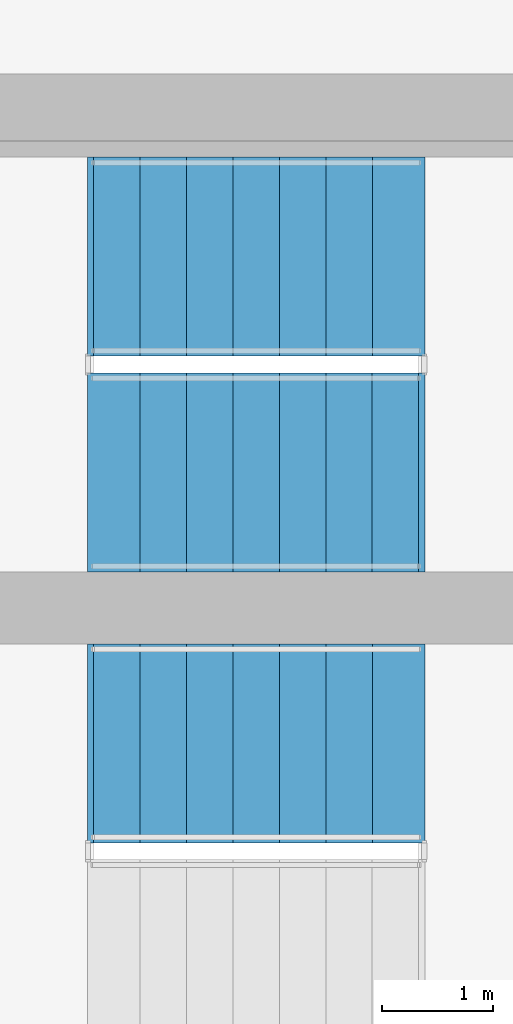
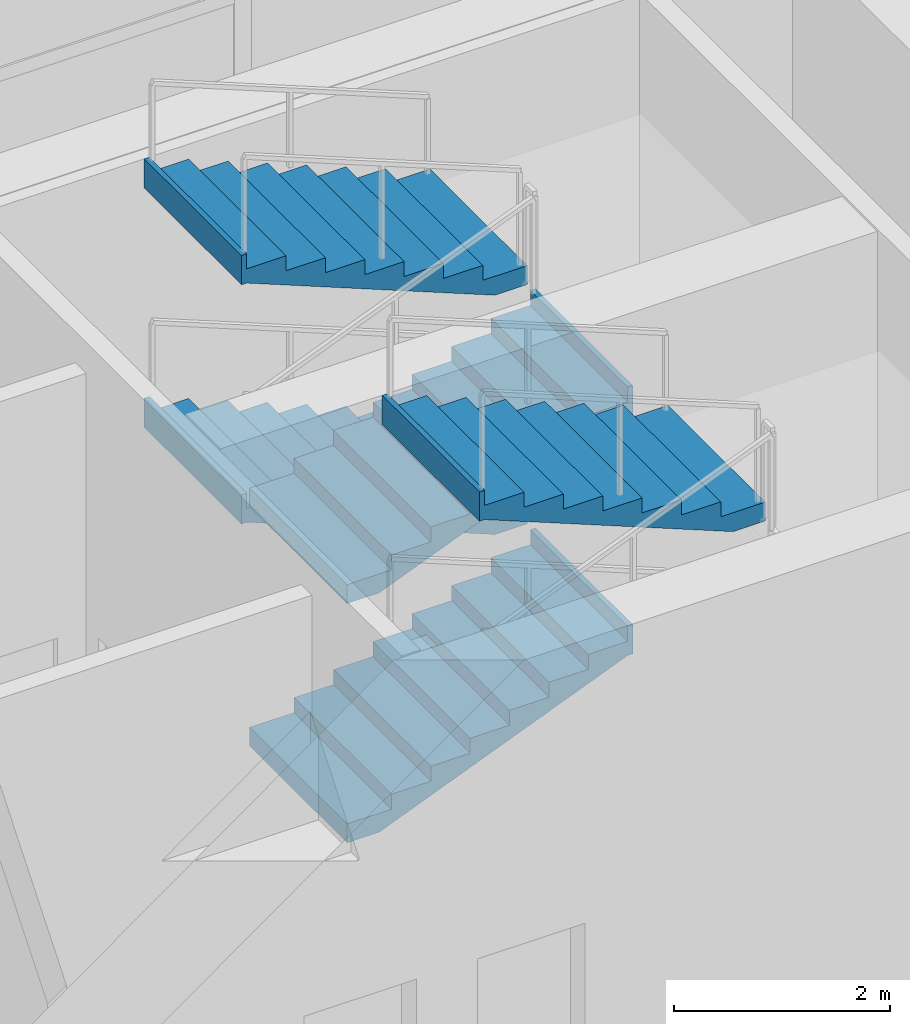
# One storey, part 13 of 17: 5 stair flights, 2 elements without a shape of their own.
"""IFC4 building model written with IfcOpenShell, lengths in metres."""

from ifc_helpers import new_model, si_unit, direction, frame, origin, place, context, subcontext, project, spatial, polyline, outline, extrude, material, type_object, element, aggregate, save


model = new_model("IFC4")

# Units and contexts
model_context = context("Model", 3, precision=1e-05, world=origin(), true_north=direction((0.0, 1.0)))
body_context = subcontext(model_context, "Body", "Model", "MODEL_VIEW")
ifc_project = project(units=[si_unit("LENGTHUNIT", "METRE"), si_unit("AREAUNIT", "SQUARE_METRE"), si_unit("VOLUMEUNIT", "CUBIC_METRE"), si_unit("PLANEANGLEUNIT", "RADIAN"), si_unit("MASSUNIT", "GRAM", prefix="KILO")], contexts=[model_context])

# Site, building, storey
site_placement = place(None, origin())
site = spatial("IfcSite", under=ifc_project, at=site_placement, CompositionType="ELEMENT")
building_placement = place(site_placement, origin())
building = spatial("IfcBuilding", under=site, at=building_placement, Name="Caeloran Harvest Quay", CompositionType="ELEMENT")
storey_placement = place(building_placement, frame((0.0, 0.0, 5.39990234375)))
storey = spatial("IfcBuildingStorey", under=building, at=storey_placement, Name="L02", CompositionType="ELEMENT", Elevation=5.39990234375)

# Stair, stair flights
ifc_material = material(Name="Concrete C50/60", Category="concrete")
stair_type = type_object("IfcStairType", Name="STAIR-STC-180", PredefinedType="HALF_TURN_STAIR", material=ifc_material)
stair_1_placement = place(storey_placement, origin())
stair_1 = element("IfcStair", 1, at=stair_1_placement, inside=storey, type_object=stair_type, Name="L02 Core Pressurized Exit Stair ST-C1", PredefinedType="HALF_TURN_STAIR")
stair_flight_type = type_object("IfcStairFlightType", Name="FLIGHT-STC-180", PredefinedType="STRAIGHT", material=ifc_material)
stair_flight_1_placement = place(storey_placement, frame((15.89990234375, 37.39990234375, 0.0), z_axis=(0.0, 0.0, 1.0), x_axis=(1.0, 0.0, 0.0)))
stair_flight_1 = element("IfcStairFlight", 2, at=stair_flight_1_placement, type_object=stair_flight_type, Name="ST-C1 flight 1", NumberOfRisers=8, NumberOfTreads=7, PredefinedType="STRAIGHT", RiserHeight=0.16875, TreadLength=0.42, context=body_context, shape_type="SweptSolid", body=[
    extrude(outline(polyline([(-0.054931640625, -0.044921875), (-0.054931640625, -0.03173828125), (-0.054931640625, -0.018310546875), (-0.054931640625, -0.0048828125), (-0.054931640625, 0.008544921875), (-0.054931640625, 0.021728515625), (-0.054931640625, 0.03515625), (-0.054931640625, 0.048583984375), (-0.054931640625, 0.061767578125), (-0.054931640625, 0.0751953125), (-0.054931640625, 0.088623046875), (-0.054931640625, 0.10205078125), (-0.054931640625, 0.115234375), (-0.054931640625, 0.128662109375), (-0.054931640625, 0.14208984375), (-0.054931640625, 0.1552734375), (-0.054931640625, 0.168701171875), (0.419921875, 0.168701171875), (0.419921875, 0.33740234375), (0.840087890625, 0.33740234375), (0.840087890625, 0.50634765625), (1.260009765625, 0.50634765625), (1.260009765625, 0.675048828125), (1.679931640625, 0.675048828125), (1.679931640625, 0.84375), (2.10009765625, 0.84375), (2.10009765625, 1.012451171875), (2.52001953125, 1.012451171875), (2.52001953125, 1.18115234375), (2.93994140625, 1.18115234375), (2.93994140625, 1.35009765625), (2.9951171875, 1.35009765625), (2.9951171875, 1.329345703125), (2.9951171875, 1.30859375), (2.9951171875, 1.2880859375), (2.9951171875, 1.267333984375), (2.9951171875, 1.246826171875), (2.9951171875, 1.22607421875), (2.9951171875, 1.20556640625), (2.9951171875, 1.184814453125), (2.9951171875, 1.164306640625), (2.9951171875, 1.1435546875), (2.9951171875, 1.122802734375), (2.9951171875, 1.102294921875), (2.9951171875, 1.08154296875), (2.9951171875, 1.06103515625), (2.9951171875, 1.040283203125), (2.9951171875, 1.019775390625), (2.93994140625, 1.019775390625), (0.2900390625, -0.044921875), (-0.054931640625, -0.044921875)])), frame((0.0, 0.89990234375, 0.0), z_axis=(0.0, -1.0, 0.0), x_axis=(1.0, 0.0, 0.0)), (0.0, 0.0, 1.0), 1.800048828125),
])
stair_flight_2_placement = place(storey_placement, frame((18.840087890625, 39.35009765625, 1.35009765625), z_axis=(0.0, 0.0, 1.0), x_axis=(-1.0, 0.0, 0.0)))
stair_flight_2 = element("IfcStairFlight", 3, at=stair_flight_2_placement, type_object=stair_flight_type, Name="ST-C1 flight 2", NumberOfRisers=8, NumberOfTreads=7, PredefinedType="STRAIGHT", RiserHeight=0.16875, TreadLength=0.42, context=body_context, shape_type="SweptSolid", body=[
    extrude(outline(polyline([(-0.054931640625, -0.044921875), (-0.054931640625, -0.03173828125), (-0.054931640625, -0.018310546875), (-0.054931640625, -0.0048828125), (-0.054931640625, 0.008544921875), (-0.054931640625, 0.021728515625), (-0.054931640625, 0.03515625), (-0.054931640625, 0.048583984375), (-0.054931640625, 0.061767578125), (-0.054931640625, 0.0751953125), (-0.054931640625, 0.088623046875), (-0.054931640625, 0.10205078125), (-0.054931640625, 0.115234375), (-0.054931640625, 0.128662109375), (-0.054931640625, 0.14208984375), (-0.054931640625, 0.1552734375), (-0.054931640625, 0.168701171875), (0.419921875, 0.168701171875), (0.419921875, 0.33740234375), (0.840087890625, 0.33740234375), (0.840087890625, 0.50634765625), (1.260009765625, 0.50634765625), (1.260009765625, 0.675048828125), (1.679931640625, 0.675048828125), (1.679931640625, 0.84375), (2.10009765625, 0.84375), (2.10009765625, 1.012451171875), (2.52001953125, 1.012451171875), (2.52001953125, 1.18115234375), (2.93994140625, 1.18115234375), (2.93994140625, 1.35009765625), (2.9951171875, 1.35009765625), (2.9951171875, 1.329345703125), (2.9951171875, 1.30859375), (2.9951171875, 1.2880859375), (2.9951171875, 1.267333984375), (2.9951171875, 1.246826171875), (2.9951171875, 1.22607421875), (2.9951171875, 1.20556640625), (2.9951171875, 1.184814453125), (2.9951171875, 1.164306640625), (2.9951171875, 1.1435546875), (2.9951171875, 1.122802734375), (2.9951171875, 1.102294921875), (2.9951171875, 1.08154296875), (2.9951171875, 1.06103515625), (2.9951171875, 1.040283203125), (2.9951171875, 1.019775390625), (2.93994140625, 1.019775390625), (0.2900390625, -0.044921875), (-0.054931640625, -0.044921875)])), frame((0.0, 0.89990234375, 0.0), z_axis=(0.0, -1.0, 0.0), x_axis=(1.0, 0.0, 0.0)), (0.0, 0.0, 1.0), 1.800048828125),
])
stair_flight_3_placement = place(storey_placement, frame((15.89990234375, 37.39990234375, 2.7001953125), z_axis=(0.0, 0.0, 1.0), x_axis=(1.0, 0.0, 0.0)))
stair_flight_3 = element("IfcStairFlight", 4, at=stair_flight_3_placement, type_object=stair_flight_type, Name="ST-C1 flight 3", NumberOfRisers=8, NumberOfTreads=7, PredefinedType="STRAIGHT", RiserHeight=0.16875, TreadLength=0.42, context=body_context, shape_type="SweptSolid", body=[
    extrude(outline(polyline([(-0.054931640625, -0.044921875), (-0.054931640625, -0.03173828125), (-0.054931640625, -0.018310546875), (-0.054931640625, -0.0048828125), (-0.054931640625, 0.008544921875), (-0.054931640625, 0.021728515625), (-0.054931640625, 0.03515625), (-0.054931640625, 0.048583984375), (-0.054931640625, 0.061767578125), (-0.054931640625, 0.0751953125), (-0.054931640625, 0.088623046875), (-0.054931640625, 0.10205078125), (-0.054931640625, 0.115234375), (-0.054931640625, 0.128662109375), (-0.054931640625, 0.14208984375), (-0.054931640625, 0.1552734375), (-0.054931640625, 0.168701171875), (0.419921875, 0.168701171875), (0.419921875, 0.33740234375), (0.840087890625, 0.33740234375), (0.840087890625, 0.50634765625), (1.260009765625, 0.50634765625), (1.260009765625, 0.675048828125), (1.679931640625, 0.675048828125), (1.679931640625, 0.84375), (2.10009765625, 0.84375), (2.10009765625, 1.012451171875), (2.52001953125, 1.012451171875), (2.52001953125, 1.18115234375), (2.93994140625, 1.18115234375), (2.93994140625, 1.35009765625), (2.9951171875, 1.35009765625), (2.9951171875, 1.329345703125), (2.9951171875, 1.30859375), (2.9951171875, 1.2880859375), (2.9951171875, 1.267333984375), (2.9951171875, 1.246826171875), (2.9951171875, 1.22607421875), (2.9951171875, 1.20556640625), (2.9951171875, 1.184814453125), (2.9951171875, 1.164306640625), (2.9951171875, 1.1435546875), (2.9951171875, 1.122802734375), (2.9951171875, 1.102294921875), (2.9951171875, 1.08154296875), (2.9951171875, 1.06103515625), (2.9951171875, 1.040283203125), (2.9951171875, 1.019775390625), (2.93994140625, 1.019775390625), (0.2900390625, -0.044921875), (-0.054931640625, -0.044921875)])), frame((0.0, 0.89990234375, 0.0), z_axis=(0.0, -1.0, 0.0), x_axis=(1.0, 0.0, 0.0)), (0.0, 0.0, 1.0), 1.800048828125),
])
stair_flight_4_placement = place(storey_placement, frame((18.840087890625, 39.35009765625, 4.050048828125), z_axis=(0.0, 0.0, 1.0), x_axis=(-1.0, 0.0, 0.0)))
stair_flight_4 = element("IfcStairFlight", 5, at=stair_flight_4_placement, type_object=stair_flight_type, Name="ST-C1 flight 4", NumberOfRisers=8, NumberOfTreads=7, PredefinedType="STRAIGHT", RiserHeight=0.16875, TreadLength=0.42, context=body_context, shape_type="SweptSolid", body=[
    extrude(outline(polyline([(-0.054931640625, -0.044921875), (-0.054931640625, -0.03173828125), (-0.054931640625, -0.018310546875), (-0.054931640625, -0.0048828125), (-0.054931640625, 0.008544921875), (-0.054931640625, 0.021728515625), (-0.054931640625, 0.03515625), (-0.054931640625, 0.048583984375), (-0.054931640625, 0.061767578125), (-0.054931640625, 0.0751953125), (-0.054931640625, 0.088623046875), (-0.054931640625, 0.10205078125), (-0.054931640625, 0.115234375), (-0.054931640625, 0.128662109375), (-0.054931640625, 0.14208984375), (-0.054931640625, 0.1552734375), (-0.054931640625, 0.168701171875), (0.419921875, 0.168701171875), (0.419921875, 0.33740234375), (0.840087890625, 0.33740234375), (0.840087890625, 0.50634765625), (1.260009765625, 0.50634765625), (1.260009765625, 0.675048828125), (1.679931640625, 0.675048828125), (1.679931640625, 0.84375), (2.10009765625, 0.84375), (2.10009765625, 1.012451171875), (2.52001953125, 1.012451171875), (2.52001953125, 1.18115234375), (2.93994140625, 1.18115234375), (2.93994140625, 1.35009765625), (2.9951171875, 1.35009765625), (2.9951171875, 1.329345703125), (2.9951171875, 1.30859375), (2.9951171875, 1.2880859375), (2.9951171875, 1.267333984375), (2.9951171875, 1.246826171875), (2.9951171875, 1.22607421875), (2.9951171875, 1.20556640625), (2.9951171875, 1.184814453125), (2.9951171875, 1.164306640625), (2.9951171875, 1.1435546875), (2.9951171875, 1.122802734375), (2.9951171875, 1.102294921875), (2.9951171875, 1.08154296875), (2.9951171875, 1.06103515625), (2.9951171875, 1.040283203125), (2.9951171875, 1.019775390625), (2.93994140625, 1.019775390625), (0.2900390625, -0.044921875), (-0.054931640625, -0.044921875)])), frame((0.0, 0.89990234375, 0.0), z_axis=(0.0, -1.0, 0.0), x_axis=(1.0, 0.0, 0.0)), (0.0, 0.0, 1.0), 1.800048828125),
])
aggregate(stair_1, [stair_flight_1, stair_flight_2, stair_flight_3, stair_flight_4])

# Stair, stair flight
stair_2_placement = place(storey_placement, origin())
stair_2 = element("IfcStair", 6, at=stair_2_placement, inside=storey, type_object=stair_type, Name="L02 Core Pressurized Exit Stair ST-C2", PredefinedType="HALF_TURN_STAIR")
stair_flight_5_placement = place(storey_placement, frame((18.840087890625, 34.949951171875, 4.050048828125), z_axis=(0.0, 0.0, 1.0), x_axis=(-1.0, 0.0, 0.0)))
stair_flight_5 = element("IfcStairFlight", 7, at=stair_flight_5_placement, type_object=stair_flight_type, Name="ST-C2 flight 4", NumberOfRisers=8, NumberOfTreads=7, PredefinedType="STRAIGHT", RiserHeight=0.16875, TreadLength=0.42, context=body_context, shape_type="SweptSolid", body=[
    extrude(outline(polyline([(-0.054931640625, -0.044921875), (-0.054931640625, -0.03173828125), (-0.054931640625, -0.018310546875), (-0.054931640625, -0.0048828125), (-0.054931640625, 0.008544921875), (-0.054931640625, 0.021728515625), (-0.054931640625, 0.03515625), (-0.054931640625, 0.048583984375), (-0.054931640625, 0.061767578125), (-0.054931640625, 0.0751953125), (-0.054931640625, 0.088623046875), (-0.054931640625, 0.10205078125), (-0.054931640625, 0.115234375), (-0.054931640625, 0.128662109375), (-0.054931640625, 0.14208984375), (-0.054931640625, 0.1552734375), (-0.054931640625, 0.168701171875), (0.419921875, 0.168701171875), (0.419921875, 0.33740234375), (0.840087890625, 0.33740234375), (0.840087890625, 0.50634765625), (1.260009765625, 0.50634765625), (1.260009765625, 0.675048828125), (1.679931640625, 0.675048828125), (1.679931640625, 0.84375), (2.10009765625, 0.84375), (2.10009765625, 1.012451171875), (2.52001953125, 1.012451171875), (2.52001953125, 1.18115234375), (2.93994140625, 1.18115234375), (2.93994140625, 1.35009765625), (2.9951171875, 1.35009765625), (2.9951171875, 1.329345703125), (2.9951171875, 1.30859375), (2.9951171875, 1.2880859375), (2.9951171875, 1.267333984375), (2.9951171875, 1.246826171875), (2.9951171875, 1.22607421875), (2.9951171875, 1.20556640625), (2.9951171875, 1.184814453125), (2.9951171875, 1.164306640625), (2.9951171875, 1.1435546875), (2.9951171875, 1.122802734375), (2.9951171875, 1.102294921875), (2.9951171875, 1.08154296875), (2.9951171875, 1.06103515625), (2.9951171875, 1.040283203125), (2.9951171875, 1.019775390625), (2.93994140625, 1.019775390625), (0.2900390625, -0.044921875), (-0.054931640625, -0.044921875)])), frame((0.0, 0.89990234375, 0.0), z_axis=(0.0, -1.0, 0.0), x_axis=(1.0, 0.0, 0.0)), (0.0, 0.0, 1.0), 1.800048828125),
])
aggregate(stair_2, [stair_flight_5])

save(model, "model.ifc")
